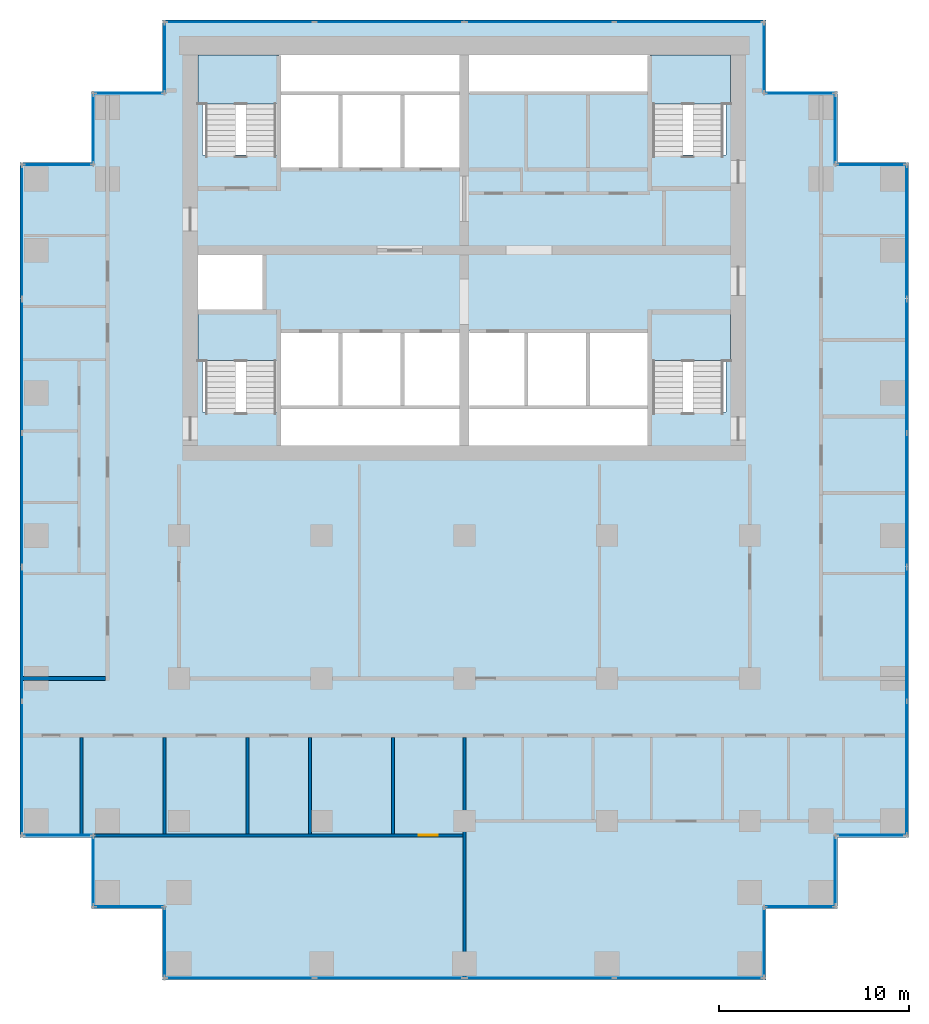
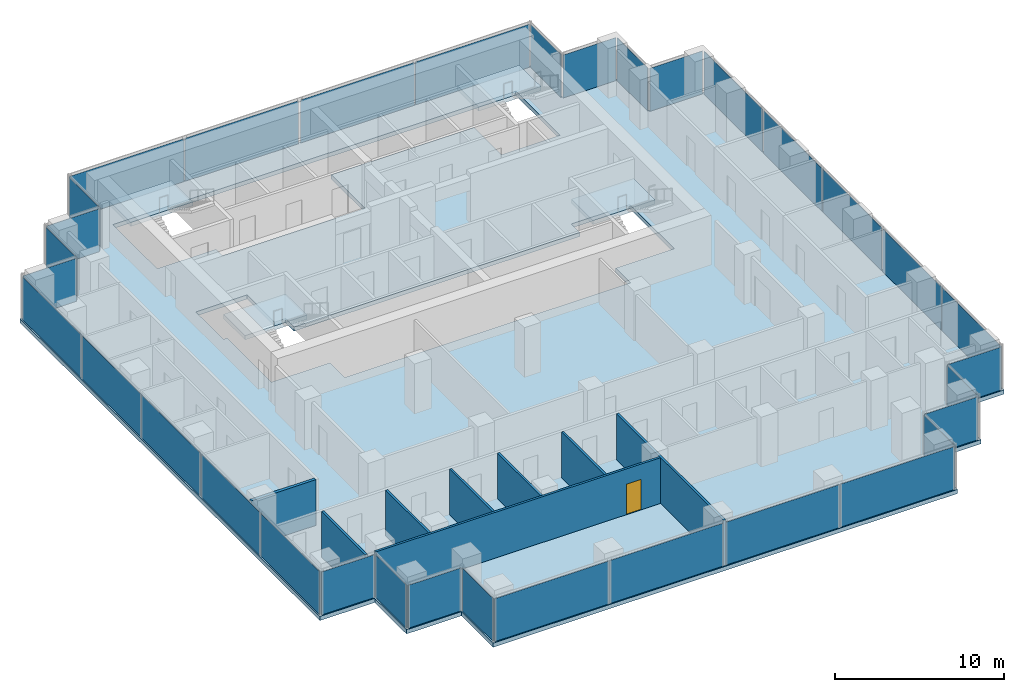
# One storey, part 6 of 10: 34 plates, 8 walls, 5 slabs, 1 door, 1 opening, 30 elements without a shape of their own.
"""IFC4 building model written with IfcOpenShell, lengths in metres."""

from ifc_helpers import new_model, si_unit, direction, frame, frame_2d, origin, origin_2d, place, context, subcontext, project, spatial, polyline, rectangle, outline, extrude, material, layer, layer_set, type_object, element, fill, aggregate, save


model = new_model("IFC4")

# Units and contexts
model_context = context("Model", 3, precision=1e-05, world=origin(), true_north=direction((0.0, 1.0)))
body_context = subcontext(model_context, "Body", "Model", "MODEL_VIEW")
ifc_project = project(units=[si_unit("LENGTHUNIT", "METRE"), si_unit("AREAUNIT", "SQUARE_METRE"), si_unit("VOLUMEUNIT", "CUBIC_METRE"), si_unit("PLANEANGLEUNIT", "RADIAN"), si_unit("MASSUNIT", "GRAM", prefix="KILO")], contexts=[model_context])

# Site, building, storey
site_placement = place(None, origin())
site = spatial("IfcSite", under=ifc_project, at=site_placement, CompositionType="ELEMENT")
building_placement = place(site_placement, origin())
building = spatial("IfcBuilding", under=site, at=building_placement, Name="Pilkhan Gate Tower", CompositionType="ELEMENT")
storey_placement = place(building_placement, frame((0.0, 0.0, 139.60009765625)))
storey = spatial("IfcBuildingStorey", under=building, at=storey_placement, Name="L35", CompositionType="ELEMENT", Elevation=139.60009765625)

# Slab
ifc_material_1 = material(Name="Concrete C40/50", Category="concrete")
ifc_layer_1 = layer(ifc_material_1, 0.300048828125)
ifc_layer_set_1 = layer_set([ifc_layer_1], Name="Flat plate slab FP300")
slab_type_1 = type_object("IfcSlabType", Name="Flat plate slab FP300", PredefinedType="FLOOR", material=ifc_layer_set_1)
slab_1_placement = place(storey_placement, frame((0.0, 0.0, -0.300048828125)))
element("IfcSlab", 1, at=slab_1_placement, inside=storey, type_object=slab_type_1, Name="Floor slab L35", PredefinedType="FLOOR", context=body_context, shape_type="SweptSolid", body=[
    extrude(outline(polyline([(94.60009765625, 47.89990234375), (90.85009765625, 47.89990234375), (90.85009765625, 44.14990234375), (59.14990234375, 44.14990234375), (59.14990234375, 47.89990234375), (55.39990234375, 47.89990234375), (55.39990234375, 51.64990234375), (51.64990234375, 51.64990234375), (51.64990234375, 87.10009765625), (55.39990234375, 87.10009765625), (55.39990234375, 90.85009765625), (59.14990234375, 90.85009765625), (59.14990234375, 94.60009765625), (90.85009765625, 94.60009765625), (90.85009765625, 90.85009765625), (94.60009765625, 90.85009765625), (94.60009765625, 87.10009765625), (98.35009765625, 87.10009765625), (98.35009765625, 51.64990234375), (94.60009765625, 51.64990234375), (94.60009765625, 47.89990234375)]), holes=[polyline([(65.25, 87.5), (65.25, 86.75), (68.5, 86.75), (71.75, 86.75), (75.0, 86.75), (75.0, 90.75), (84.75, 90.75), (84.75, 87.5), (88.75, 87.5), (88.75, 92.75), (84.75, 92.75), (75.0, 92.75), (65.25, 92.75), (61.25, 92.75), (61.25, 87.5), (65.25, 87.5)]), polyline([(75.0, 72.25), (84.75, 72.25), (84.75, 74.0), (88.75, 74.0), (88.75, 79.25), (84.75, 79.25), (84.75, 78.25), (81.5, 78.25), (78.25, 78.25), (75.0, 78.25), (71.75, 78.25), (68.5, 78.25), (65.25, 78.25), (65.25, 79.25), (64.5, 79.25), (64.5, 82.5), (61.25, 82.5), (61.0, 82.5), (61.0, 79.25), (61.25, 79.25), (61.25, 74.0), (65.25, 74.0), (65.25, 72.25), (75.0, 72.25)])]), origin(), (0.0, 0.0, 1.0), 0.300048828125),
])

# Curtain wall, plates
ifc_material_2 = material(Name="Pale anodised aluminium, clear low-iron double glazing", Category="aluminium")
curtain_wall_type = type_object("IfcCurtainWallType", Name="Office unitised curtain wall CW-O1", PredefinedType="USERDEFINED", material=ifc_material_2)
curtain_wall_1_placement = place(storey_placement, origin())
curtain_wall_1 = element("IfcCurtainWall", 2, at=curtain_wall_1_placement, inside=storey, type_object=curtain_wall_type, Name="Office unitised curtain wall CW-O1 L35 E", ObjectType="UNITISED CURTAIN WALL", PredefinedType="USERDEFINED")
ifc_material_3 = material(Name="Clear low-iron double glazing", Category="glass")
ifc_layer_2 = layer(ifc_material_3, 0.0400390625)
ifc_layer_set_2 = layer_set([ifc_layer_2], Name="Glass panel CW-O1 40")
plate_type = type_object("IfcPlateType", Name="Glass panel CW-O1 40", PredefinedType="CURTAIN_PANEL", material=ifc_layer_set_2)
plate_1_placement = place(storey_placement, frame((98.25, 55.29248046875, -0.000244140625), z_axis=(0.0, 0.0, 1.0), x_axis=(0.0, 1.0, 0.0)))
plate_1 = element("IfcPlate", 3, at=plate_1_placement, type_object=plate_type, Name="CW-O1 panel 1", PredefinedType="CURTAIN_PANEL", context=body_context, shape_type="SweptSolid", body=[
    extrude(rectangle(XDim=6.945068359375, YDim=0.0400390625, at=origin_2d()), origin(), (0.0, 0.0, 1.0), 3.10009765625),
])
plate_2_placement = place(storey_placement, frame((98.25, 62.3076171875, -0.000244140625), z_axis=(0.0, 0.0, 1.0), x_axis=(0.0, 1.0, 0.0)))
plate_2 = element("IfcPlate", 4, at=plate_2_placement, type_object=plate_type, Name="CW-O1 panel 2", PredefinedType="CURTAIN_PANEL", context=body_context, shape_type="SweptSolid", body=[
    extrude(rectangle(XDim=6.945068359375, YDim=0.0400390625, at=origin_2d()), origin(), (0.0, 0.0, 1.0), 3.10009765625),
])
aggregate(curtain_wall_1, [plate_1, plate_2])

curtain_wall_2_placement = place(storey_placement, origin())
curtain_wall_2 = element("IfcCurtainWall", 5, at=curtain_wall_2_placement, inside=storey, type_object=curtain_wall_type, Name="Office unitised curtain wall CW-O1 L35 E", ObjectType="UNITISED CURTAIN WALL", PredefinedType="USERDEFINED")
plate_3_placement = place(storey_placement, frame((98.25, 69.392578125, -0.000244140625), z_axis=(0.0, 0.0, 1.0), x_axis=(0.0, 1.0, 0.0)))
plate_3 = element("IfcPlate", 6, at=plate_3_placement, type_object=plate_type, Name="CW-O1 panel 1", PredefinedType="CURTAIN_PANEL", context=body_context, shape_type="SweptSolid", body=[
    extrude(rectangle(XDim=6.945068359375, YDim=0.0400390625, at=origin_2d()), origin(), (0.0, 0.0, 1.0), 3.10009765625),
])
plate_4_placement = place(storey_placement, frame((98.25, 76.407470703125, -0.000244140625), z_axis=(0.0, 0.0, 1.0), x_axis=(0.0, 1.0, 0.0)))
plate_4 = element("IfcPlate", 7, at=plate_4_placement, type_object=plate_type, Name="CW-O1 panel 2", PredefinedType="CURTAIN_PANEL", context=body_context, shape_type="SweptSolid", body=[
    extrude(rectangle(XDim=6.945068359375, YDim=0.0400390625, at=origin_2d()), origin(), (0.0, 0.0, 1.0), 3.10009765625),
])
aggregate(curtain_wall_2, [plate_3, plate_4])

# Curtain wall, plate
curtain_wall_3_placement = place(storey_placement, origin())
curtain_wall_3 = element("IfcCurtainWall", 8, at=curtain_wall_3_placement, inside=storey, type_object=curtain_wall_type, Name="Office unitised curtain wall CW-O1 L35 E", ObjectType="UNITISED CURTAIN WALL", PredefinedType="USERDEFINED")
plate_5_placement = place(storey_placement, frame((98.25, 83.47509765625, -0.000244140625), z_axis=(0.0, 0.0, 1.0), x_axis=(0.0, 1.0, 0.0)))
plate_5 = element("IfcPlate", 9, at=plate_5_placement, type_object=plate_type, Name="CW-O1 panel 1", PredefinedType="CURTAIN_PANEL", context=body_context, shape_type="SweptSolid", body=[
    extrude(rectangle(XDim=6.909912109375, YDim=0.0400390625, at=origin_2d()), origin(), (0.0, 0.0, 1.0), 3.10009765625),
])
aggregate(curtain_wall_3, [plate_5])

curtain_wall_4_placement = place(storey_placement, origin())
curtain_wall_4 = element("IfcCurtainWall", 10, at=curtain_wall_4_placement, inside=storey, type_object=curtain_wall_type, Name="Office unitised curtain wall CW-O1 L35 N", ObjectType="UNITISED CURTAIN WALL", PredefinedType="USERDEFINED")
plate_6_placement = place(storey_placement, frame((96.375, 87.0, -0.000244140625), z_axis=(0.0, 0.0, 1.0), x_axis=(1.0, 0.0, 0.0)))
plate_6 = element("IfcPlate", 11, at=plate_6_placement, type_object=plate_type, Name="CW-O1 panel 1", PredefinedType="CURTAIN_PANEL", context=body_context, shape_type="SweptSolid", body=[
    extrude(rectangle(XDim=3.610107421875, YDim=0.0400390625, at=origin_2d()), origin(), (0.0, 0.0, 1.0), 3.10009765625),
])
aggregate(curtain_wall_4, [plate_6])

curtain_wall_5_placement = place(storey_placement, origin())
curtain_wall_5 = element("IfcCurtainWall", 12, at=curtain_wall_5_placement, inside=storey, type_object=curtain_wall_type, Name="Office unitised curtain wall CW-O1 L35 E", ObjectType="UNITISED CURTAIN WALL", PredefinedType="USERDEFINED")
plate_7_placement = place(storey_placement, frame((94.5, 88.875, -0.000244140625), z_axis=(0.0, 0.0, 1.0), x_axis=(0.0, 1.0, 0.0)))
plate_7 = element("IfcPlate", 13, at=plate_7_placement, type_object=plate_type, Name="CW-O1 panel 1", PredefinedType="CURTAIN_PANEL", context=body_context, shape_type="SweptSolid", body=[
    extrude(rectangle(XDim=3.610107421875, YDim=0.0400390625, at=origin_2d()), origin(), (0.0, 0.0, 1.0), 3.10009765625),
])
aggregate(curtain_wall_5, [plate_7])

curtain_wall_6_placement = place(storey_placement, origin())
curtain_wall_6 = element("IfcCurtainWall", 14, at=curtain_wall_6_placement, inside=storey, type_object=curtain_wall_type, Name="Office unitised curtain wall CW-O1 L35 N", ObjectType="UNITISED CURTAIN WALL", PredefinedType="USERDEFINED")
plate_8_placement = place(storey_placement, frame((92.625, 90.75, -0.000244140625), z_axis=(0.0, 0.0, 1.0), x_axis=(1.0, 0.0, 0.0)))
plate_8 = element("IfcPlate", 15, at=plate_8_placement, type_object=plate_type, Name="CW-O1 panel 1", PredefinedType="CURTAIN_PANEL", context=body_context, shape_type="SweptSolid", body=[
    extrude(rectangle(XDim=3.610107421875, YDim=0.0400390625, at=origin_2d()), origin(), (0.0, 0.0, 1.0), 3.10009765625),
])
aggregate(curtain_wall_6, [plate_8])

curtain_wall_7_placement = place(storey_placement, origin())
curtain_wall_7 = element("IfcCurtainWall", 16, at=curtain_wall_7_placement, inside=storey, type_object=curtain_wall_type, Name="Office unitised curtain wall CW-O1 L35 E", ObjectType="UNITISED CURTAIN WALL", PredefinedType="USERDEFINED")
plate_9_placement = place(storey_placement, frame((90.75, 92.625, -0.000244140625), z_axis=(0.0, 0.0, 1.0), x_axis=(0.0, 1.0, 0.0)))
plate_9 = element("IfcPlate", 17, at=plate_9_placement, type_object=plate_type, Name="CW-O1 panel 1", PredefinedType="CURTAIN_PANEL", context=body_context, shape_type="SweptSolid", body=[
    extrude(rectangle(XDim=3.610107421875, YDim=0.0400390625, at=origin_2d()), origin(), (0.0, 0.0, 1.0), 3.10009765625),
])
aggregate(curtain_wall_7, [plate_9])

# Curtain wall, plates
curtain_wall_8_placement = place(storey_placement, origin())
curtain_wall_8 = element("IfcCurtainWall", 18, at=curtain_wall_8_placement, inside=storey, type_object=curtain_wall_type, Name="Office unitised curtain wall CW-O1 L35 N", ObjectType="UNITISED CURTAIN WALL", PredefinedType="USERDEFINED")
plate_10_placement = place(storey_placement, frame((63.205078125, 94.5, -0.000244140625), z_axis=(0.0, 0.0, 1.0), x_axis=(1.0, 0.0, 0.0)))
plate_10 = element("IfcPlate", 19, at=plate_10_placement, type_object=plate_type, Name="CW-O1 panel 1", PredefinedType="CURTAIN_PANEL", context=body_context, shape_type="SweptSolid", body=[
    extrude(rectangle(XDim=7.77001953125, YDim=0.0400390625, at=origin_2d()), origin(), (0.0, 0.0, 1.0), 3.10009765625),
])
plate_11_placement = place(storey_placement, frame((71.044921875, 94.5, -0.000244140625), z_axis=(0.0, 0.0, 1.0), x_axis=(1.0, 0.0, 0.0)))
plate_11 = element("IfcPlate", 20, at=plate_11_placement, type_object=plate_type, Name="CW-O1 panel 2", PredefinedType="CURTAIN_PANEL", context=body_context, shape_type="SweptSolid", body=[
    extrude(rectangle(XDim=7.77001953125, YDim=0.0400390625, at=origin_2d()), origin(), (0.0, 0.0, 1.0), 3.10009765625),
])
aggregate(curtain_wall_8, [plate_10, plate_11])

curtain_wall_9_placement = place(storey_placement, origin())
curtain_wall_9 = element("IfcCurtainWall", 21, at=curtain_wall_9_placement, inside=storey, type_object=curtain_wall_type, Name="Office unitised curtain wall CW-O1 L35 N", ObjectType="UNITISED CURTAIN WALL", PredefinedType="USERDEFINED")
plate_12_placement = place(storey_placement, frame((78.955078125, 94.5, -0.000244140625), z_axis=(0.0, 0.0, 1.0), x_axis=(1.0, 0.0, 0.0)))
plate_12 = element("IfcPlate", 22, at=plate_12_placement, type_object=plate_type, Name="CW-O1 panel 1", PredefinedType="CURTAIN_PANEL", context=body_context, shape_type="SweptSolid", body=[
    extrude(rectangle(XDim=7.77001953125, YDim=0.0400390625, at=origin_2d()), origin(), (0.0, 0.0, 1.0), 3.10009765625),
])
plate_13_placement = place(storey_placement, frame((86.794921875, 94.5, -0.000244140625), z_axis=(0.0, 0.0, 1.0), x_axis=(1.0, 0.0, 0.0)))
plate_13 = element("IfcPlate", 23, at=plate_13_placement, type_object=plate_type, Name="CW-O1 panel 2", PredefinedType="CURTAIN_PANEL", context=body_context, shape_type="SweptSolid", body=[
    extrude(rectangle(XDim=7.77001953125, YDim=0.0400390625, at=origin_2d()), origin(), (0.0, 0.0, 1.0), 3.10009765625),
])
aggregate(curtain_wall_9, [plate_12, plate_13])

# Curtain wall, plate
curtain_wall_10_placement = place(storey_placement, origin())
curtain_wall_10 = element("IfcCurtainWall", 24, at=curtain_wall_10_placement, inside=storey, type_object=curtain_wall_type, Name="Office unitised curtain wall CW-O1 L35 W", ObjectType="UNITISED CURTAIN WALL", PredefinedType="USERDEFINED")
plate_14_placement = place(storey_placement, frame((59.25, 92.625, -0.000244140625), z_axis=(0.0, 0.0, 1.0), x_axis=(0.0, 1.0, 0.0)))
plate_14 = element("IfcPlate", 25, at=plate_14_placement, type_object=plate_type, Name="CW-O1 panel 1", PredefinedType="CURTAIN_PANEL", context=body_context, shape_type="SweptSolid", body=[
    extrude(rectangle(XDim=3.610107421875, YDim=0.0400390625, at=origin_2d()), origin(), (0.0, 0.0, 1.0), 3.10009765625),
])
aggregate(curtain_wall_10, [plate_14])

curtain_wall_11_placement = place(storey_placement, origin())
curtain_wall_11 = element("IfcCurtainWall", 26, at=curtain_wall_11_placement, inside=storey, type_object=curtain_wall_type, Name="Office unitised curtain wall CW-O1 L35 N", ObjectType="UNITISED CURTAIN WALL", PredefinedType="USERDEFINED")
plate_15_placement = place(storey_placement, frame((57.375, 90.75, -0.000244140625), z_axis=(0.0, 0.0, 1.0), x_axis=(1.0, 0.0, 0.0)))
plate_15 = element("IfcPlate", 27, at=plate_15_placement, type_object=plate_type, Name="CW-O1 panel 1", PredefinedType="CURTAIN_PANEL", context=body_context, shape_type="SweptSolid", body=[
    extrude(rectangle(XDim=3.610107421875, YDim=0.0400390625, at=origin_2d()), origin(), (0.0, 0.0, 1.0), 3.10009765625),
])
aggregate(curtain_wall_11, [plate_15])

curtain_wall_12_placement = place(storey_placement, origin())
curtain_wall_12 = element("IfcCurtainWall", 28, at=curtain_wall_12_placement, inside=storey, type_object=curtain_wall_type, Name="Office unitised curtain wall CW-O1 L35 W", ObjectType="UNITISED CURTAIN WALL", PredefinedType="USERDEFINED")
plate_16_placement = place(storey_placement, frame((55.5, 88.875, -0.000244140625), z_axis=(0.0, 0.0, 1.0), x_axis=(0.0, 1.0, 0.0)))
plate_16 = element("IfcPlate", 29, at=plate_16_placement, type_object=plate_type, Name="CW-O1 panel 1", PredefinedType="CURTAIN_PANEL", context=body_context, shape_type="SweptSolid", body=[
    extrude(rectangle(XDim=3.610107421875, YDim=0.0400390625, at=origin_2d()), origin(), (0.0, 0.0, 1.0), 3.10009765625),
])
aggregate(curtain_wall_12, [plate_16])

curtain_wall_13_placement = place(storey_placement, origin())
curtain_wall_13 = element("IfcCurtainWall", 30, at=curtain_wall_13_placement, inside=storey, type_object=curtain_wall_type, Name="Office unitised curtain wall CW-O1 L35 N", ObjectType="UNITISED CURTAIN WALL", PredefinedType="USERDEFINED")
plate_17_placement = place(storey_placement, frame((53.625, 87.0, -0.000244140625), z_axis=(0.0, 0.0, 1.0), x_axis=(1.0, 0.0, 0.0)))
plate_17 = element("IfcPlate", 31, at=plate_17_placement, type_object=plate_type, Name="CW-O1 panel 1", PredefinedType="CURTAIN_PANEL", context=body_context, shape_type="SweptSolid", body=[
    extrude(rectangle(XDim=3.610107421875, YDim=0.0400390625, at=origin_2d()), origin(), (0.0, 0.0, 1.0), 3.10009765625),
])
aggregate(curtain_wall_13, [plate_17])

# Curtain wall, plates
curtain_wall_14_placement = place(storey_placement, origin())
curtain_wall_14 = element("IfcCurtainWall", 32, at=curtain_wall_14_placement, inside=storey, type_object=curtain_wall_type, Name="Office unitised curtain wall CW-O1 L35 W", ObjectType="UNITISED CURTAIN WALL", PredefinedType="USERDEFINED")
plate_18_placement = place(storey_placement, frame((51.75, 55.29248046875, -0.000244140625), z_axis=(0.0, 0.0, 1.0), x_axis=(0.0, 1.0, 0.0)))
plate_18 = element("IfcPlate", 33, at=plate_18_placement, type_object=plate_type, Name="CW-O1 panel 1", PredefinedType="CURTAIN_PANEL", context=body_context, shape_type="SweptSolid", body=[
    extrude(rectangle(XDim=6.945068359375, YDim=0.0400390625, at=origin_2d()), origin(), (0.0, 0.0, 1.0), 3.10009765625),
])
plate_19_placement = place(storey_placement, frame((51.75, 62.3076171875, -0.000244140625), z_axis=(0.0, 0.0, 1.0), x_axis=(0.0, 1.0, 0.0)))
plate_19 = element("IfcPlate", 34, at=plate_19_placement, type_object=plate_type, Name="CW-O1 panel 2", PredefinedType="CURTAIN_PANEL", context=body_context, shape_type="SweptSolid", body=[
    extrude(rectangle(XDim=6.945068359375, YDim=0.0400390625, at=origin_2d()), origin(), (0.0, 0.0, 1.0), 3.10009765625),
])
aggregate(curtain_wall_14, [plate_18, plate_19])

curtain_wall_15_placement = place(storey_placement, origin())
curtain_wall_15 = element("IfcCurtainWall", 35, at=curtain_wall_15_placement, inside=storey, type_object=curtain_wall_type, Name="Office unitised curtain wall CW-O1 L35 W", ObjectType="UNITISED CURTAIN WALL", PredefinedType="USERDEFINED")
plate_20_placement = place(storey_placement, frame((51.75, 69.392578125, -0.000244140625), z_axis=(0.0, 0.0, 1.0), x_axis=(0.0, 1.0, 0.0)))
plate_20 = element("IfcPlate", 36, at=plate_20_placement, type_object=plate_type, Name="CW-O1 panel 1", PredefinedType="CURTAIN_PANEL", context=body_context, shape_type="SweptSolid", body=[
    extrude(rectangle(XDim=6.945068359375, YDim=0.0400390625, at=origin_2d()), origin(), (0.0, 0.0, 1.0), 3.10009765625),
])
plate_21_placement = place(storey_placement, frame((51.75, 76.407470703125, -0.000244140625), z_axis=(0.0, 0.0, 1.0), x_axis=(0.0, 1.0, 0.0)))
plate_21 = element("IfcPlate", 37, at=plate_21_placement, type_object=plate_type, Name="CW-O1 panel 2", PredefinedType="CURTAIN_PANEL", context=body_context, shape_type="SweptSolid", body=[
    extrude(rectangle(XDim=6.945068359375, YDim=0.0400390625, at=origin_2d()), origin(), (0.0, 0.0, 1.0), 3.10009765625),
])
aggregate(curtain_wall_15, [plate_20, plate_21])

# Curtain wall, plate
curtain_wall_16_placement = place(storey_placement, origin())
curtain_wall_16 = element("IfcCurtainWall", 38, at=curtain_wall_16_placement, inside=storey, type_object=curtain_wall_type, Name="Office unitised curtain wall CW-O1 L35 W", ObjectType="UNITISED CURTAIN WALL", PredefinedType="USERDEFINED")
plate_22_placement = place(storey_placement, frame((51.75, 83.47509765625, -0.000244140625), z_axis=(0.0, 0.0, 1.0), x_axis=(0.0, 1.0, 0.0)))
plate_22 = element("IfcPlate", 39, at=plate_22_placement, type_object=plate_type, Name="CW-O1 panel 1", PredefinedType="CURTAIN_PANEL", context=body_context, shape_type="SweptSolid", body=[
    extrude(rectangle(XDim=6.909912109375, YDim=0.0400390625, at=origin_2d()), origin(), (0.0, 0.0, 1.0), 3.10009765625),
])
aggregate(curtain_wall_16, [plate_22])

curtain_wall_17_placement = place(storey_placement, origin())
curtain_wall_17 = element("IfcCurtainWall", 40, at=curtain_wall_17_placement, inside=storey, type_object=curtain_wall_type, Name="Office unitised curtain wall CW-O1 L35 S", ObjectType="UNITISED CURTAIN WALL", PredefinedType="USERDEFINED")
plate_23_placement = place(storey_placement, frame((53.625, 51.75, -0.000244140625), z_axis=(0.0, 0.0, 1.0), x_axis=(1.0, 0.0, 0.0)))
plate_23 = element("IfcPlate", 41, at=plate_23_placement, type_object=plate_type, Name="CW-O1 panel 1", PredefinedType="CURTAIN_PANEL", context=body_context, shape_type="SweptSolid", body=[
    extrude(rectangle(XDim=3.610107421875, YDim=0.0400390625, at=origin_2d()), origin(), (0.0, 0.0, 1.0), 3.10009765625),
])
aggregate(curtain_wall_17, [plate_23])

curtain_wall_18_placement = place(storey_placement, origin())
curtain_wall_18 = element("IfcCurtainWall", 42, at=curtain_wall_18_placement, inside=storey, type_object=curtain_wall_type, Name="Office unitised curtain wall CW-O1 L35 W", ObjectType="UNITISED CURTAIN WALL", PredefinedType="USERDEFINED")
plate_24_placement = place(storey_placement, frame((55.5, 49.875, -0.000244140625), z_axis=(0.0, 0.0, 1.0), x_axis=(0.0, 1.0, 0.0)))
plate_24 = element("IfcPlate", 43, at=plate_24_placement, type_object=plate_type, Name="CW-O1 panel 1", PredefinedType="CURTAIN_PANEL", context=body_context, shape_type="SweptSolid", body=[
    extrude(rectangle(XDim=3.610107421875, YDim=0.0400390625, at=origin_2d()), origin(), (0.0, 0.0, 1.0), 3.10009765625),
])
aggregate(curtain_wall_18, [plate_24])

curtain_wall_19_placement = place(storey_placement, origin())
curtain_wall_19 = element("IfcCurtainWall", 44, at=curtain_wall_19_placement, inside=storey, type_object=curtain_wall_type, Name="Office unitised curtain wall CW-O1 L35 S", ObjectType="UNITISED CURTAIN WALL", PredefinedType="USERDEFINED")
plate_25_placement = place(storey_placement, frame((57.375, 48.0, -0.000244140625), z_axis=(0.0, 0.0, 1.0), x_axis=(1.0, 0.0, 0.0)))
plate_25 = element("IfcPlate", 45, at=plate_25_placement, type_object=plate_type, Name="CW-O1 panel 1", PredefinedType="CURTAIN_PANEL", context=body_context, shape_type="SweptSolid", body=[
    extrude(rectangle(XDim=3.610107421875, YDim=0.0400390625, at=origin_2d()), origin(), (0.0, 0.0, 1.0), 3.10009765625),
])
aggregate(curtain_wall_19, [plate_25])

curtain_wall_20_placement = place(storey_placement, origin())
curtain_wall_20 = element("IfcCurtainWall", 46, at=curtain_wall_20_placement, inside=storey, type_object=curtain_wall_type, Name="Office unitised curtain wall CW-O1 L35 W", ObjectType="UNITISED CURTAIN WALL", PredefinedType="USERDEFINED")
plate_26_placement = place(storey_placement, frame((59.25, 46.125, -0.000244140625), z_axis=(0.0, 0.0, 1.0), x_axis=(0.0, 1.0, 0.0)))
plate_26 = element("IfcPlate", 47, at=plate_26_placement, type_object=plate_type, Name="CW-O1 panel 1", PredefinedType="CURTAIN_PANEL", context=body_context, shape_type="SweptSolid", body=[
    extrude(rectangle(XDim=3.610107421875, YDim=0.0400390625, at=origin_2d()), origin(), (0.0, 0.0, 1.0), 3.10009765625),
])
aggregate(curtain_wall_20, [plate_26])

# Curtain wall, plates
curtain_wall_21_placement = place(storey_placement, origin())
curtain_wall_21 = element("IfcCurtainWall", 48, at=curtain_wall_21_placement, inside=storey, type_object=curtain_wall_type, Name="Office unitised curtain wall CW-O1 L35 S", ObjectType="UNITISED CURTAIN WALL", PredefinedType="USERDEFINED")
plate_27_placement = place(storey_placement, frame((63.205078125, 44.25, -0.000244140625), z_axis=(0.0, 0.0, 1.0), x_axis=(1.0, 0.0, 0.0)))
plate_27 = element("IfcPlate", 49, at=plate_27_placement, type_object=plate_type, Name="CW-O1 panel 1", PredefinedType="CURTAIN_PANEL", context=body_context, shape_type="SweptSolid", body=[
    extrude(rectangle(XDim=7.77001953125, YDim=0.0400390625, at=origin_2d()), origin(), (0.0, 0.0, 1.0), 3.10009765625),
])
plate_28_placement = place(storey_placement, frame((71.044921875, 44.25, -0.000244140625), z_axis=(0.0, 0.0, 1.0), x_axis=(1.0, 0.0, 0.0)))
plate_28 = element("IfcPlate", 50, at=plate_28_placement, type_object=plate_type, Name="CW-O1 panel 2", PredefinedType="CURTAIN_PANEL", context=body_context, shape_type="SweptSolid", body=[
    extrude(rectangle(XDim=7.77001953125, YDim=0.0400390625, at=origin_2d()), origin(), (0.0, 0.0, 1.0), 3.10009765625),
])
aggregate(curtain_wall_21, [plate_27, plate_28])

curtain_wall_22_placement = place(storey_placement, origin())
curtain_wall_22 = element("IfcCurtainWall", 51, at=curtain_wall_22_placement, inside=storey, type_object=curtain_wall_type, Name="Office unitised curtain wall CW-O1 L35 S", ObjectType="UNITISED CURTAIN WALL", PredefinedType="USERDEFINED")
plate_29_placement = place(storey_placement, frame((78.955078125, 44.25, -0.000244140625), z_axis=(0.0, 0.0, 1.0), x_axis=(1.0, 0.0, 0.0)))
plate_29 = element("IfcPlate", 52, at=plate_29_placement, type_object=plate_type, Name="CW-O1 panel 1", PredefinedType="CURTAIN_PANEL", context=body_context, shape_type="SweptSolid", body=[
    extrude(rectangle(XDim=7.77001953125, YDim=0.0400390625, at=origin_2d()), origin(), (0.0, 0.0, 1.0), 3.10009765625),
])
plate_30_placement = place(storey_placement, frame((86.794921875, 44.25, -0.000244140625), z_axis=(0.0, 0.0, 1.0), x_axis=(1.0, 0.0, 0.0)))
plate_30 = element("IfcPlate", 53, at=plate_30_placement, type_object=plate_type, Name="CW-O1 panel 2", PredefinedType="CURTAIN_PANEL", context=body_context, shape_type="SweptSolid", body=[
    extrude(rectangle(XDim=7.77001953125, YDim=0.0400390625, at=origin_2d()), origin(), (0.0, 0.0, 1.0), 3.10009765625),
])
aggregate(curtain_wall_22, [plate_29, plate_30])

# Curtain wall, plate
curtain_wall_23_placement = place(storey_placement, origin())
curtain_wall_23 = element("IfcCurtainWall", 54, at=curtain_wall_23_placement, inside=storey, type_object=curtain_wall_type, Name="Office unitised curtain wall CW-O1 L35 E", ObjectType="UNITISED CURTAIN WALL", PredefinedType="USERDEFINED")
plate_31_placement = place(storey_placement, frame((90.75, 46.125, -0.000244140625), z_axis=(0.0, 0.0, 1.0), x_axis=(0.0, 1.0, 0.0)))
plate_31 = element("IfcPlate", 55, at=plate_31_placement, type_object=plate_type, Name="CW-O1 panel 1", PredefinedType="CURTAIN_PANEL", context=body_context, shape_type="SweptSolid", body=[
    extrude(rectangle(XDim=3.610107421875, YDim=0.0400390625, at=origin_2d()), origin(), (0.0, 0.0, 1.0), 3.10009765625),
])
aggregate(curtain_wall_23, [plate_31])

curtain_wall_24_placement = place(storey_placement, origin())
curtain_wall_24 = element("IfcCurtainWall", 56, at=curtain_wall_24_placement, inside=storey, type_object=curtain_wall_type, Name="Office unitised curtain wall CW-O1 L35 S", ObjectType="UNITISED CURTAIN WALL", PredefinedType="USERDEFINED")
plate_32_placement = place(storey_placement, frame((92.625, 48.0, -0.000244140625), z_axis=(0.0, 0.0, 1.0), x_axis=(1.0, 0.0, 0.0)))
plate_32 = element("IfcPlate", 57, at=plate_32_placement, type_object=plate_type, Name="CW-O1 panel 1", PredefinedType="CURTAIN_PANEL", context=body_context, shape_type="SweptSolid", body=[
    extrude(rectangle(XDim=3.610107421875, YDim=0.0400390625, at=origin_2d()), origin(), (0.0, 0.0, 1.0), 3.10009765625),
])
aggregate(curtain_wall_24, [plate_32])

curtain_wall_25_placement = place(storey_placement, origin())
curtain_wall_25 = element("IfcCurtainWall", 58, at=curtain_wall_25_placement, inside=storey, type_object=curtain_wall_type, Name="Office unitised curtain wall CW-O1 L35 E", ObjectType="UNITISED CURTAIN WALL", PredefinedType="USERDEFINED")
plate_33_placement = place(storey_placement, frame((94.5, 49.875, -0.000244140625), z_axis=(0.0, 0.0, 1.0), x_axis=(0.0, 1.0, 0.0)))
plate_33 = element("IfcPlate", 59, at=plate_33_placement, type_object=plate_type, Name="CW-O1 panel 1", PredefinedType="CURTAIN_PANEL", context=body_context, shape_type="SweptSolid", body=[
    extrude(rectangle(XDim=3.610107421875, YDim=0.0400390625, at=origin_2d()), origin(), (0.0, 0.0, 1.0), 3.10009765625),
])
aggregate(curtain_wall_25, [plate_33])

curtain_wall_26_placement = place(storey_placement, origin())
curtain_wall_26 = element("IfcCurtainWall", 60, at=curtain_wall_26_placement, inside=storey, type_object=curtain_wall_type, Name="Office unitised curtain wall CW-O1 L35 S", ObjectType="UNITISED CURTAIN WALL", PredefinedType="USERDEFINED")
plate_34_placement = place(storey_placement, frame((96.375, 51.75, -0.000244140625), z_axis=(0.0, 0.0, 1.0), x_axis=(1.0, 0.0, 0.0)))
plate_34 = element("IfcPlate", 61, at=plate_34_placement, type_object=plate_type, Name="CW-O1 panel 1", PredefinedType="CURTAIN_PANEL", context=body_context, shape_type="SweptSolid", body=[
    extrude(rectangle(XDim=3.610107421875, YDim=0.0400390625, at=origin_2d()), origin(), (0.0, 0.0, 1.0), 3.10009765625),
])
aggregate(curtain_wall_26, [plate_34])

# Stair, slab
ifc_material_4 = material(Name="Concrete C40/50 precast", Category="concrete")
stair_type_1 = type_object("IfcStairType", Name="Stair ST1 164x280", PredefinedType="HALF_TURN_STAIR", material=ifc_material_4)
stair_1_placement = place(storey_placement, origin())
stair_1 = element("IfcStair", 62, at=stair_1_placement, inside=storey, type_object=stair_type_1, Name="Stair ST1 L35", PredefinedType="HALF_TURN_STAIR")
ifc_layer_3 = layer(ifc_material_1, 0.199951171875)
ifc_layer_set_3 = layer_set([ifc_layer_3], Name="Stair landing SL200")
slab_type_2 = type_object("IfcSlabType", Name="Stair landing SL200", PredefinedType="LANDING", material=ifc_layer_set_3)
slab_2_placement = place(storey_placement, frame((0.0, 0.0, 1.5)))
slab_2 = element("IfcSlab", 63, at=slab_2_placement, type_object=slab_type_2, Name="ST1 landing 1", PredefinedType="LANDING", context=body_context, shape_type="SweptSolid", body=[
    extrude(outline(polyline([(89.0, 76.699951171875), (89.0, 79.25), (84.75, 79.25), (84.75, 76.699951171875), (89.0, 76.699951171875)])), origin(), (0.0, 0.0, 1.0), 0.2998046875),
])
aggregate(stair_1, [slab_2])

stair_type_2 = type_object("IfcStairType", Name="Stair ST2 164x280", PredefinedType="HALF_TURN_STAIR", material=ifc_material_4)
stair_2_placement = place(storey_placement, origin())
stair_2 = element("IfcStair", 64, at=stair_2_placement, inside=storey, type_object=stair_type_2, Name="Stair ST2 L35", PredefinedType="HALF_TURN_STAIR")
slab_3_placement = place(storey_placement, frame((0.0, 0.0, 1.5)))
slab_3 = element("IfcSlab", 65, at=slab_3_placement, type_object=slab_type_2, Name="ST2 landing 1", PredefinedType="LANDING", context=body_context, shape_type="SweptSolid", body=[
    extrude(outline(polyline([(65.25, 76.699951171875), (65.25, 79.25), (61.0, 79.25), (61.0, 76.699951171875), (65.25, 76.699951171875)])), origin(), (0.0, 0.0, 1.0), 0.2998046875),
])
aggregate(stair_2, [slab_3])

stair_type_3 = type_object("IfcStairType", Name="Stair ST3 164x280", PredefinedType="HALF_TURN_STAIR", material=ifc_material_4)
stair_3_placement = place(storey_placement, origin())
stair_3 = element("IfcStair", 66, at=stair_3_placement, inside=storey, type_object=stair_type_3, Name="Stair ST3 L35", PredefinedType="HALF_TURN_STAIR")
slab_4_placement = place(storey_placement, frame((0.0, 0.0, 1.5)))
slab_4 = element("IfcSlab", 67, at=slab_4_placement, type_object=slab_type_2, Name="ST3 landing 1", PredefinedType="LANDING", context=body_context, shape_type="SweptSolid", body=[
    extrude(outline(polyline([(65.25, 90.199951171875), (65.25, 92.75), (61.0, 92.75), (61.0, 90.199951171875), (65.25, 90.199951171875)])), origin(), (0.0, 0.0, 1.0), 0.2998046875),
])
aggregate(stair_3, [slab_4])

stair_type_4 = type_object("IfcStairType", Name="Stair ST4 164x280", PredefinedType="HALF_TURN_STAIR", material=ifc_material_4)
stair_4_placement = place(storey_placement, origin())
stair_4 = element("IfcStair", 68, at=stair_4_placement, inside=storey, type_object=stair_type_4, Name="Stair ST4 L35", PredefinedType="HALF_TURN_STAIR")
slab_5_placement = place(storey_placement, frame((0.0, 0.0, 1.5)))
slab_5 = element("IfcSlab", 69, at=slab_5_placement, type_object=slab_type_2, Name="ST4 landing 1", PredefinedType="LANDING", context=body_context, shape_type="SweptSolid", body=[
    extrude(outline(polyline([(89.0, 90.199951171875), (89.0, 92.75), (84.75, 92.75), (84.75, 90.199951171875), (89.0, 90.199951171875)])), origin(), (0.0, 0.0, 1.0), 0.2998046875),
])
aggregate(stair_4, [slab_5])

# Wall
ifc_material_5 = material(Name="Dense blockwork", Category="masonry")
ifc_layer_4 = layer(ifc_material_5, 0.199951171875)
ifc_layer_set_4 = layer_set([ifc_layer_4], Name="Corridor wall FW200")
wall_type_1 = type_object("IfcWallType", Name="Corridor wall FW200", PredefinedType="PARTITIONING", material=ifc_layer_set_4)
wall_1_placement = place(storey_placement, frame((51.735107421875, 60.0, 0.0), z_axis=(0.0, 0.0, 1.0), x_axis=(1.0, 0.0, 0.0)))
element("IfcWall", 70, at=wall_1_placement, inside=storey, type_object=wall_type_1, Name="Partition L35", PredefinedType="PARTITIONING", context=body_context, shape_type="SweptSolid", body=[
    extrude(rectangle(XDim=4.414794921875, YDim=0.199951171875, at=frame_2d((2.20751953125, 0.0))), origin(), (0.0, 0.0, 1.0), 3.2998046875),
])

# Wall, opening, door
ifc_material_6 = material(Name="Blockwork partition, plastered both sides", Category="masonry")
ifc_layer_5 = layer(ifc_material_6, 0.14990234375)
ifc_layer_set_5 = layer_set([ifc_layer_5], Name="Partition PW150")
wall_type_2 = type_object("IfcWallType", Name="Partition PW150", PredefinedType="PARTITIONING", material=ifc_layer_set_5)
wall_2_placement = place(storey_placement, frame((55.485107421875, 51.75, 0.0), z_axis=(0.0, 0.0, 1.0), x_axis=(1.0, 0.0, 0.0)))
wall_2 = element("IfcWall", 71, at=wall_2_placement, inside=storey, type_object=wall_type_2, Name="Partition L35", PredefinedType="PARTITIONING", context=body_context, shape_type="SweptSolid", body=[
    extrude(rectangle(XDim=19.43994140625, YDim=0.14990234375, at=frame_2d((9.719970703125, 0.0))), origin(), (0.0, 0.0, 1.0), 3.2998046875),
])
opening_placement = place(wall_2_placement, frame((17.114990234375, 0.0, 0.0)))
opening = element("IfcOpeningElement", 72, at=opening_placement, cuts=wall_2, Name="Opening L35-21", PredefinedType="OPENING", context=body_context, shape_type="SweptSolid", body=[
    extrude(rectangle(XDim=1.0, YDim=2.199951171875, at=frame_2d((0.5, 1.10009765625))), frame((0.0, 0.0849609375, 0.0), z_axis=(0.0, -1.0, 0.0), x_axis=(1.0, 0.0, 0.0)), (0.0, 0.0, 1.0), 0.169921875),
])
ifc_material_7 = material(Name="Timber flush door, 30 minute fire resisting", Category="wood")
door_type = type_object("IfcDoorType", Name="Room door D03 1000x2200", OperationType="SINGLE_SWING_LEFT", PredefinedType="DOOR", material=ifc_material_7)
door_placement = place(opening_placement, origin())
door = element("IfcDoor", 73, at=door_placement, inside=storey, type_object=door_type, Name="Room door", OperationType="SINGLE_SWING_LEFT", OverallHeight=2.199951171875, OverallWidth=1.0, PredefinedType="DOOR", context=body_context, shape_type="SweptSolid", body=[
    extrude(rectangle(XDim=1.0, YDim=2.199951171875, at=frame_2d((0.5, 1.10009765625))), frame((0.0, 0.02490234375, 0.0), z_axis=(0.0, -1.0, 0.0), x_axis=(1.0, 0.0, 0.0)), (0.0, 0.0, 1.0), 0.050048828125),
])
fill(opening, door)

# Walls
wall_3_placement = place(storey_placement, frame((54.875, 51.75, 0.0), z_axis=(0.0, 0.0, 1.0), x_axis=(0.0, 1.0, 0.0)))
element("IfcWall", 74, at=wall_3_placement, inside=storey, type_object=wall_type_2, Name="Partition L35", PredefinedType="PARTITIONING", context=body_context, shape_type="SweptSolid", body=[
    extrude(rectangle(XDim=5.14990234375, YDim=0.14990234375, at=frame_2d((2.574951171875, 0.0))), origin(), (0.0, 0.0, 1.0), 3.2998046875),
])
for number, where, z_axis, x_axis, name in (
    (75, (59.241943359375, 51.824951171875, 0.0), (0.0, 0.0, 1.0), (0.0, 1.0, 0.0), "Partition L35"),
    (76, (63.60791015625, 51.824951171875, 0.0), (0.0, 0.0, 1.0), (0.0, 1.0, 0.0), "Partition L35"),
    (77, (66.883056640625, 51.824951171875, 0.0), (0.0, 0.0, 1.0), (0.0, 1.0, 0.0), "Partition L35"),
    (78, (71.25, 51.824951171875, 0.0), (0.0, 0.0, 1.0), (0.0, 1.0, 0.0), "Partition L35"),
):
    element("IfcWall", number, at=place(storey_placement, frame(where, z_axis=z_axis, x_axis=x_axis)), inside=storey, type_object=wall_type_2, Name=name, PredefinedType="PARTITIONING", context=body_context, shape_type="SweptSolid", body=[
        extrude(rectangle(XDim=5.074951171875, YDim=0.14990234375, at=frame_2d((2.53759765625, 0.0))), origin(), (0.0, 0.0, 1.0), 3.2998046875),
    ])
wall_4_placement = place(storey_placement, frame((75.0, 44.235107421875, 0.0), z_axis=(0.0, 0.0, 1.0), x_axis=(0.0, 1.0, 0.0)))
element("IfcWall", 79, at=wall_4_placement, inside=storey, type_object=wall_type_2, Name="Partition L35", PredefinedType="PARTITIONING", context=body_context, shape_type="SweptSolid", body=[
    extrude(rectangle(XDim=12.664794921875, YDim=0.14990234375, at=frame_2d((6.33251953125, 0.0))), origin(), (0.0, 0.0, 1.0), 3.2998046875),
])

save(model, "model.ifc")
